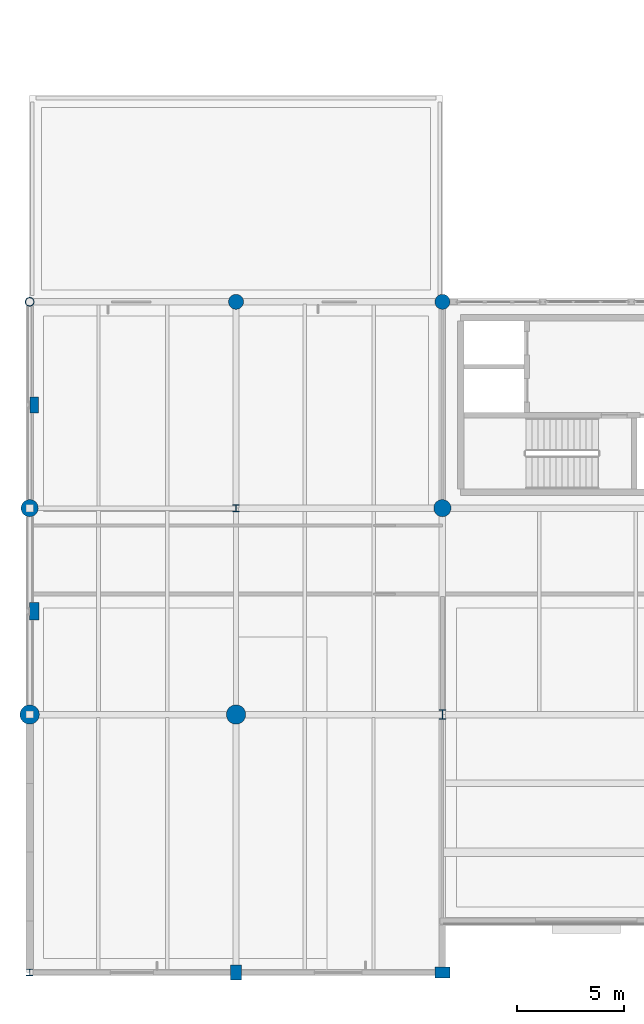
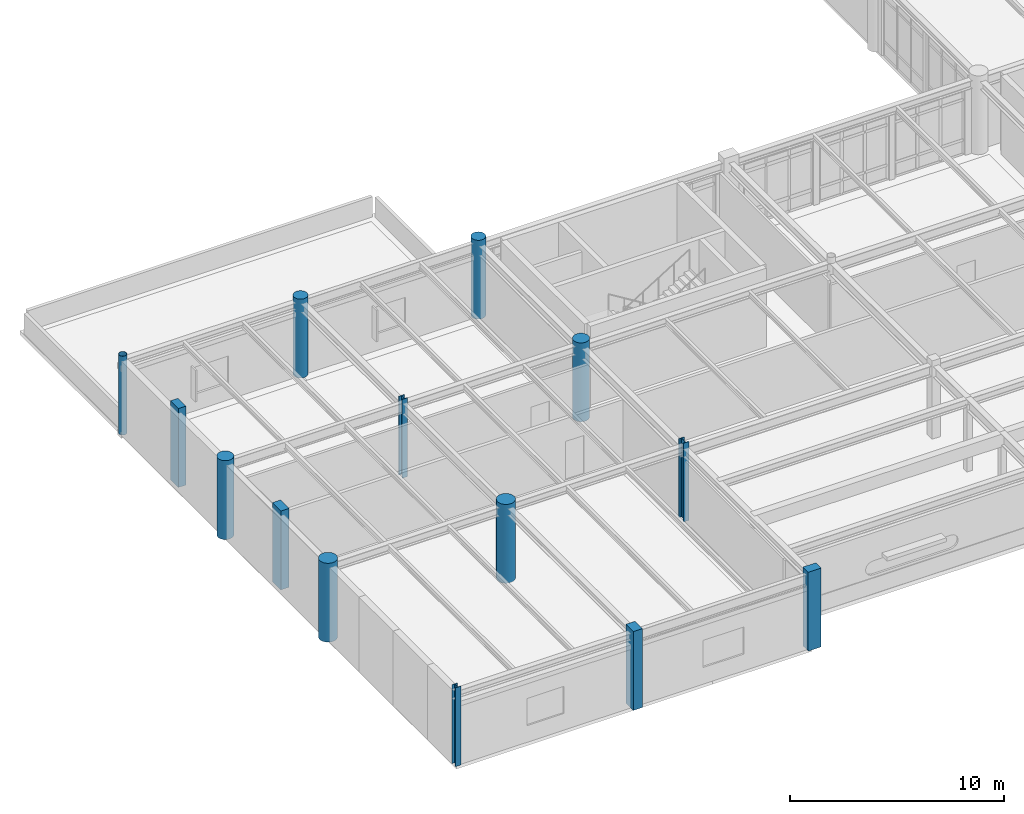
# One storey, part 1 of 61: 14 columns.
"""IFC4 building model written with IfcOpenShell, lengths in metres."""

from ifc_helpers import new_model, si_unit, direction, frame, origin, origin_2d, place, context, subcontext, project, spatial, rectangle, circle, hollow_circle, i_section, extrude, material, material_profile, profile_set, type_object, element, save


model = new_model("IFC4")

# Units and contexts
model_context = context("Model", 3, precision=1e-05, world=origin(), true_north=direction((0.0, 1.0)))
body_context = subcontext(model_context, "Body", "Model", "MODEL_VIEW")
ifc_project = project(units=[si_unit("LENGTHUNIT", "METRE"), si_unit("AREAUNIT", "SQUARE_METRE"), si_unit("VOLUMEUNIT", "CUBIC_METRE"), si_unit("PLANEANGLEUNIT", "RADIAN"), si_unit("MASSUNIT", "GRAM", prefix="KILO")], contexts=[model_context])

# Site, building, storey
site_placement = place(None, origin())
site = spatial("IfcSite", under=ifc_project, at=site_placement, CompositionType="ELEMENT")
building_placement = place(site_placement, origin())
building = spatial("IfcBuilding", under=site, at=building_placement, Name="Fikremerkos Civic Library", CompositionType="ELEMENT")
storey_placement = place(building_placement, frame((0.0, 0.0, 14.39990234375)))
storey = spatial("IfcBuildingStorey", under=building, at=storey_placement, Name="L03", CompositionType="ELEMENT", Elevation=14.39990234375)

# Columns
ifc_material_1 = material(Name="Concrete C40/50", Category="concrete")
ifc_material_profile_1 = material_profile(ifc_material_1, rectangle(XDim=0.699951171875, YDim=0.5, at=origin_2d()), Name="RC 700x500")
ifc_profile_set_1 = profile_set([ifc_material_profile_1], Name="Concrete C40/50")
column_type_1 = type_object("IfcColumnType", Name="Structural column COL-16 RC 700x500", PredefinedType="COLUMN", material=ifc_profile_set_1)
for number, where, z_axis, x_axis, name in (
    (1, (9.60009765625, 0.0, 0.0), (0.0, 0.0, 1.0), (0.0, 1.0, 0.0), "Column COL-16 L03 2/A"),
    (2, (19.199951171875, 0.0, 0.0), (0.0, 0.0, 1.0), (1.0, 0.0, 0.0), "Column COL-16 L03 3/A"),
):
    element("IfcColumn", number, at=place(storey_placement, frame(where, z_axis=z_axis, x_axis=x_axis)), inside=storey, type_object=column_type_1, Name=name, PredefinedType="COLUMN", context=body_context, shape_type="SweptSolid", body=[
        extrude(rectangle(XDim=0.699951171875, YDim=0.5, at=origin_2d()), origin(), (0.0, 0.0, 1.0), 4.5),
    ])
ifc_material_2 = material(Name="Concrete C45/55", Category="concrete")
ifc_material_profile_2 = material_profile(ifc_material_2, circle(Radius=0.449951171875, at=origin_2d()), Name="RC D900")
ifc_profile_set_2 = profile_set([ifc_material_profile_2], Name="Concrete C45/55")
column_type_2 = type_object("IfcColumnType", Name="Structural column COL-17 RC D900", PredefinedType="COLUMN", material=ifc_profile_set_2)
for number, where, z_axis, x_axis, name in (
    (3, (0.0, 12.0, 0.0), (0.0, 0.0, 1.0), (1.0, 0.0, 0.0), "Column COL-17 L03 1/E"),
    (4, (9.60009765625, 12.0, 0.0), (0.0, 0.0, 1.0), (1.0, 0.0, 0.0), "Column COL-17 L03 2/E"),
):
    element("IfcColumn", number, at=place(storey_placement, frame(where, z_axis=z_axis, x_axis=x_axis)), inside=storey, type_object=column_type_2, Name=name, PredefinedType="COLUMN", context=body_context, shape_type="SweptSolid", body=[
        extrude(circle(Radius=0.449951171875, at=origin_2d()), origin(), (0.0, 0.0, 1.0), 4.5),
    ])
ifc_material_profile_3 = material_profile(ifc_material_1, circle(Radius=0.39990234375, at=origin_2d()), Name="RC D800")
ifc_profile_set_3 = profile_set([ifc_material_profile_3], Name="Concrete C40/50")
column_type_3 = type_object("IfcColumnType", Name="Structural column COL-18 RC D800", PredefinedType="COLUMN", material=ifc_profile_set_3)
for number, where, z_axis, x_axis, name in (
    (5, (0.0, 21.60009765625, 0.0), (0.0, 0.0, 1.0), (1.0, 0.0, 0.0), "Column COL-18 L03 1/F"),
    (6, (19.199951171875, 21.60009765625, 0.0), (0.0, 0.0, 1.0), (1.0, 0.0, 0.0), "Column COL-18 L03 3/F"),
):
    element("IfcColumn", number, at=place(storey_placement, frame(where, z_axis=z_axis, x_axis=x_axis)), inside=storey, type_object=column_type_3, Name=name, PredefinedType="COLUMN", context=body_context, shape_type="SweptSolid", body=[
        extrude(circle(Radius=0.39990234375, at=origin_2d()), origin(), (0.0, 0.0, 1.0), 4.5),
    ])
ifc_material_profile_4 = material_profile(ifc_material_1, circle(Radius=0.35009765625, at=origin_2d()), Name="RC D700")
ifc_profile_set_4 = profile_set([ifc_material_profile_4], Name="Concrete C40/50")
column_type_4 = type_object("IfcColumnType", Name="Structural column COL-19 RC D700", PredefinedType="COLUMN", material=ifc_profile_set_4)
for number, where, z_axis, x_axis, name in (
    (7, (9.60009765625, 31.199951171875, 0.0), (0.0, 0.0, 1.0), (1.0, 0.0, 0.0), "Column COL-19 L03 2/G"),
    (8, (19.199951171875, 31.199951171875, 0.0), (0.0, 0.0, 1.0), (1.0, 0.0, 0.0), "Column COL-19 L03 3/G"),
):
    element("IfcColumn", number, at=place(storey_placement, frame(where, z_axis=z_axis, x_axis=x_axis)), inside=storey, type_object=column_type_4, Name=name, PredefinedType="COLUMN", context=body_context, shape_type="SweptSolid", body=[
        extrude(circle(Radius=0.35009765625, at=origin_2d()), origin(), (0.0, 0.0, 1.0), 4.5),
    ])
ifc_material_3 = material(Name="Steel S355", Category="steel")
ifc_material_profile_5 = material_profile(ifc_material_3, i_section(OverallWidth=0.300048828125, OverallDepth=0.449951171875, WebThickness=0.013916015625, FlangeThickness=0.02587890625, FilletRadius=0.027099609375, at=origin_2d()), Name="HEB 450")
ifc_profile_set_5 = profile_set([ifc_material_profile_5], Name="Steel S355")
column_type_5 = type_object("IfcColumnType", Name="Structural column COL-23 HEB 450", PredefinedType="COLUMN", material=ifc_profile_set_5)
column_1_placement = place(storey_placement, frame((19.199951171875, 12.0, 0.0), z_axis=(0.0, 0.0, 1.0), x_axis=(1.0, 0.0, 0.0)))
element("IfcColumn", 9, at=column_1_placement, inside=storey, type_object=column_type_5, Name="Column COL-23 L03 3/E", PredefinedType="COLUMN", context=body_context, shape_type="SweptSolid", body=[
    extrude(i_section(OverallWidth=0.300048828125, OverallDepth=0.449951171875, WebThickness=0.013916015625, FlangeThickness=0.02587890625, FilletRadius=0.027099609375, at=origin_2d()), origin(), (0.0, 0.0, 1.0), 4.5),
])
ifc_material_profile_6 = material_profile(ifc_material_3, i_section(OverallWidth=0.300048828125, OverallDepth=0.320068359375, WebThickness=0.011474609375, FlangeThickness=0.0205078125, FilletRadius=0.027099609375, at=origin_2d()), Name="HEB 320")
ifc_profile_set_6 = profile_set([ifc_material_profile_6], Name="Steel S355")
column_type_6 = type_object("IfcColumnType", Name="Structural column COL-26 HEB 320", PredefinedType="COLUMN", material=ifc_profile_set_6)
for number, where, z_axis, x_axis, name in (
    (10, (0.0, 0.0, 0.0), (0.0, 0.0, 1.0), (1.0, 0.0, 0.0), "Column COL-26 L03 1/A"),
    (11, (9.60009765625, 21.60009765625, 0.0), (0.0, 0.0, 1.0), (1.0, 0.0, 0.0), "Column COL-26 L03 2/F"),
):
    element("IfcColumn", number, at=place(storey_placement, frame(where, z_axis=z_axis, x_axis=x_axis)), inside=storey, type_object=column_type_6, Name=name, PredefinedType="COLUMN", context=body_context, shape_type="SweptSolid", body=[
        extrude(i_section(OverallWidth=0.300048828125, OverallDepth=0.320068359375, WebThickness=0.011474609375, FlangeThickness=0.0205078125, FilletRadius=0.027099609375, at=origin_2d()), origin(), (0.0, 0.0, 1.0), 4.5),
    ])
ifc_material_profile_7 = material_profile(ifc_material_3, hollow_circle(Radius=0.203125, WallThickness=0.01611328125, at=origin_2d()), Name="CHS 406.4x16")
ifc_profile_set_7 = profile_set([ifc_material_profile_7], Name="Steel S355")
column_type_7 = type_object("IfcColumnType", Name="Structural column COL-29 CHS 406.4x16", PredefinedType="COLUMN", material=ifc_profile_set_7)
column_2_placement = place(storey_placement, frame((0.0, 31.199951171875, 0.0), z_axis=(0.0, 0.0, 1.0), x_axis=(1.0, 0.0, 0.0)))
element("IfcColumn", 12, at=column_2_placement, inside=storey, type_object=column_type_7, Name="Column COL-29 L03 1/G", PredefinedType="COLUMN", context=body_context, shape_type="SweptSolid", body=[
    extrude(hollow_circle(Radius=0.203125, WallThickness=0.01611328125, at=origin_2d()), origin(), (0.0, 0.0, 1.0), 4.5),
])
ifc_material_profile_8 = material_profile(ifc_material_1, rectangle(XDim=0.449951171875, YDim=0.800048828125, at=origin_2d()), Name="RC 450x800")
ifc_profile_set_8 = profile_set([ifc_material_profile_8], Name="Concrete C40/50")
column_type_8 = type_object("IfcColumnType", Name="Wall pilaster PIL-01 RC 450x800", PredefinedType="PILASTER", material=ifc_profile_set_8)
column_3_placement = place(storey_placement, frame((0.219970703125, 16.800048828125, 0.0), z_axis=(0.0, 0.0, 1.0), x_axis=(1.0, 0.0, 0.0)))
element("IfcColumn", 13, at=column_3_placement, inside=storey, type_object=column_type_8, Name="Wall pilaster PIL-01 L03 W2", PredefinedType="PILASTER", context=body_context, shape_type="SweptSolid", body=[
    extrude(rectangle(XDim=0.449951171875, YDim=0.800048828125, at=origin_2d()), origin(), (0.0, 0.0, 1.0), 4.5),
])
ifc_material_profile_9 = material_profile(ifc_material_1, rectangle(XDim=0.39990234375, YDim=0.75, at=origin_2d()), Name="RC 400x750")
ifc_profile_set_9 = profile_set([ifc_material_profile_9], Name="Concrete C40/50")
column_type_9 = type_object("IfcColumnType", Name="Wall pilaster PIL-02 RC 400x750", PredefinedType="PILASTER", material=ifc_profile_set_9)
column_4_placement = place(storey_placement, frame((0.219970703125, 26.39990234375, 0.0), z_axis=(0.0, 0.0, 1.0), x_axis=(1.0, 0.0, 0.0)))
element("IfcColumn", 14, at=column_4_placement, inside=storey, type_object=column_type_9, Name="Wall pilaster PIL-02 L03 W3", PredefinedType="PILASTER", context=body_context, shape_type="SweptSolid", body=[
    extrude(rectangle(XDim=0.39990234375, YDim=0.75, at=origin_2d()), origin(), (0.0, 0.0, 1.0), 4.5),
])

save(model, "model.ifc")
